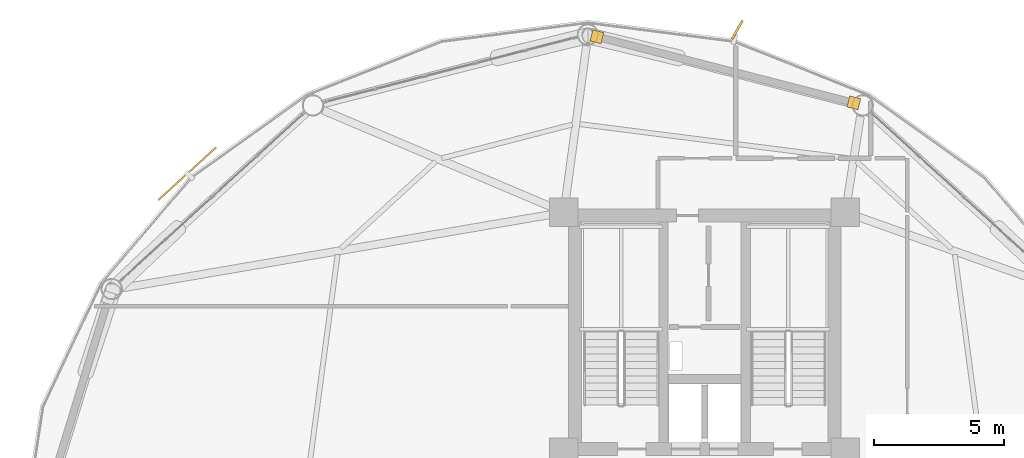
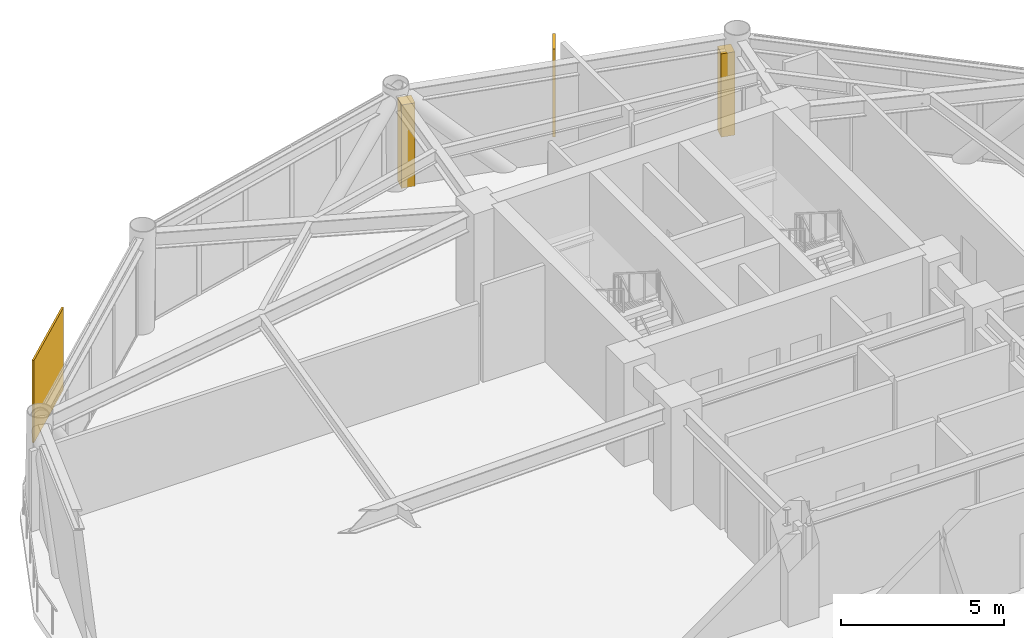
# One storey, part 24 of 24: 2 coverings, 2 shading devices.
"""IFC4 building model written with IfcOpenShell, lengths in metres."""

from ifc_helpers import new_model, si_unit, direction, frame, origin, origin_2d, place, context, subcontext, project, spatial, rectangle, extrude, source, transform, mapped, material, layer, layer_set, type_object, type_shapes, element, save


model = new_model("IFC4")

# Units and contexts
model_context = context("Model", 3, precision=1e-05, world=origin(), true_north=direction((0.0, 1.0)))
body_context = subcontext(model_context, "Body", "Model", "MODEL_VIEW")
ifc_project = project(units=[si_unit("LENGTHUNIT", "METRE"), si_unit("AREAUNIT", "SQUARE_METRE"), si_unit("VOLUMEUNIT", "CUBIC_METRE"), si_unit("PLANEANGLEUNIT", "RADIAN"), si_unit("MASSUNIT", "GRAM", prefix="KILO")], contexts=[model_context])

# Site, building, storey
site_placement = place(None, origin())
site = spatial("IfcSite", under=ifc_project, at=site_placement, CompositionType="ELEMENT")
building_placement = place(site_placement, origin())
building = spatial("IfcBuilding", under=site, at=building_placement, Name="Varnakorn Sky Granary", CompositionType="ELEMENT")
storey_placement = place(building_placement, frame((0.0, 0.0, 118.800048828125)))
storey = spatial("IfcBuildingStorey", under=building, at=storey_placement, Name="L29", CompositionType="ELEMENT", Elevation=118.800048828125)

# Coverings
ifc_material = material(Name="Anodised Bronze Aluminium Alloy 6063-T6", Category="aluminium")
ifc_layer = layer(ifc_material, 0.050048828125, Name="Anodised Bronze Aluminium Alloy 6063-T6")
ifc_layer_set = layer_set([ifc_layer], Name="Anodised Bronze Aluminium Alloy 6063-T6")
covering_type = type_object("IfcCoveringType", Name="CV-CLAD-50", PredefinedType="CLADDING", material=ifc_layer_set)
shared_shape_1 = source(origin(), body_context, "Body", "SweptSolid", [
    extrude(rectangle(XDim=0.43994140625, YDim=0.43994140625, at=origin_2d()), origin(), (0.0, 0.0, 1.0), 3.1298828125),
])
type_shapes(covering_type, [shared_shape_1])
for number, where, z_axis, x_axis, name in (
    (1, (-1.14990234375, 19.37890625, -0.02001953125), (0.0, 0.0, 1.0), (0.968452814643, -0.249197002009, 0.0), "Bronze Corner Pilaster Closure L29-P03-A"),
    (2, (8.740966796875, 16.833740234375, -0.02001953125), (0.0, 0.0, 1.0), (0.968452814643, -0.249197002009, 0.0), "Bronze Corner Pilaster Closure L29-P03-B"),
):
    element("IfcCovering", number, at=place(storey_placement, frame(where, z_axis=z_axis, x_axis=x_axis)), inside=storey, type_object=covering_type, Name=name, PredefinedType="CLADDING", context=body_context, shape_type="MappedRepresentation", body=[
        mapped(shared_shape_1, transform((0.0, 0.0, 0.0), x_axis=(1.0, 0.0, 0.0), y_axis=(0.0, 1.0, 0.0), z_axis=(0.0, 0.0, 1.0), scale=1.0)),
    ])

# Shading devices
shading_device_type_1 = type_object("IfcShadingDeviceType", Name="SH-SCR-02", PredefinedType="USERDEFINED", material=ifc_material)
shared_shape_2 = source(origin(), body_context, "Body", "SweptSolid", [
    extrude(rectangle(XDim=3.0, YDim=0.06494140625, at=origin_2d()), origin(), (0.0, 0.0, 1.0), 3.10009765625),
])
type_shapes(shading_device_type_1, [shared_shape_2])
shading_device_1_placement = place(storey_placement, frame((-16.92724609375, 14.105224609375, -0.0400390625), z_axis=(0.0, 0.0, 1.0), x_axis=(-0.739477980518, -0.673180745661, 0.0)))
element("IfcShadingDevice", 3, at=shading_device_1_placement, inside=storey, type_object=shading_device_type_1, Name="Perforated Bronze Solar Screen Panel SCREEN L29-05", ObjectType="SCREEN", PredefinedType="USERDEFINED", context=body_context, shape_type="MappedRepresentation", body=[
    mapped(shared_shape_2, transform((0.0, 0.0, 0.0), x_axis=(1.0, 0.0, 0.0), y_axis=(0.0, 1.0, 0.0), z_axis=(0.0, 0.0, 1.0), scale=1.0)),
])
shading_device_type_2 = type_object("IfcShadingDeviceType", Name="SH-FIN-02", PredefinedType="USERDEFINED", material=ifc_material)
shared_shape_3 = source(origin(), body_context, "Body", "SweptSolid", [
    extrude(rectangle(XDim=0.0849609375, YDim=0.820068359375, at=origin_2d()), origin(), (0.0, 0.0, 1.0), 3.300048828125),
])
type_shapes(shading_device_type_2, [shared_shape_3])
shading_device_2_placement = place(storey_placement, frame((4.254638671875, 19.647705078125, -0.0400390625), z_axis=(0.0, 0.0, 1.0), x_axis=(-0.867795282831, 0.496921872226, 0.0)))
element("IfcShadingDevice", 4, at=shading_device_2_placement, inside=storey, type_object=shading_device_type_2, Name="Bronze Solar-Tracking Vertical Blade FIN L29-03", ObjectType="FIN", PredefinedType="USERDEFINED", context=body_context, shape_type="MappedRepresentation", body=[
    mapped(shared_shape_3, transform((0.0, 0.0, 0.0), x_axis=(1.0, 0.0, 0.0), y_axis=(0.0, 1.0, 0.0), z_axis=(0.0, 0.0, 1.0), scale=1.0)),
])

save(model, "model.ifc")
